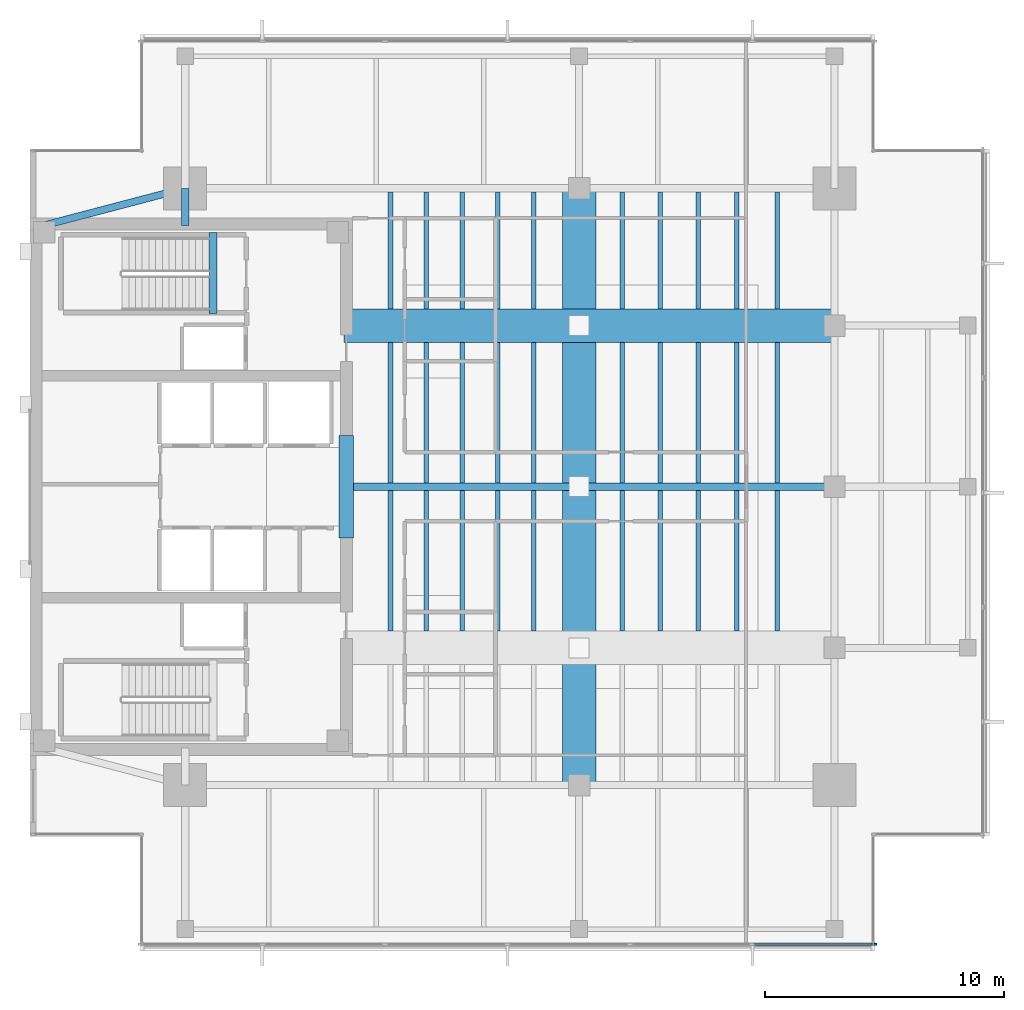
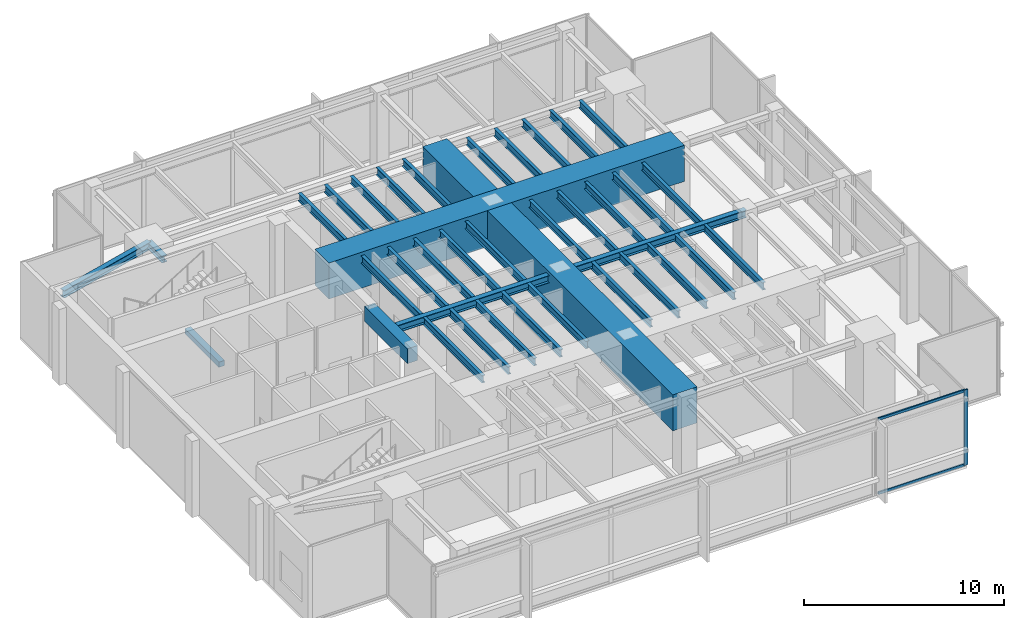
# One storey, part 3 of 14: 37 beams, 3 members, 1 element without a shape of its own.
"""IFC4 building model written with IfcOpenShell, lengths in metres."""

from ifc_helpers import new_model, si_unit, direction, frame, origin, origin_2d, place, context, subcontext, project, spatial, rectangle, i_section, extrude, material, layer, layer_set, material_profile, profile_set, type_object, element, aggregate, save


model = new_model("IFC4")

# Units and contexts
model_context = context("Model", 3, precision=1e-05, world=origin(), true_north=direction((0.0, 1.0)))
body_context = subcontext(model_context, "Body", "Model", "MODEL_VIEW")
ifc_project = project(units=[si_unit("LENGTHUNIT", "METRE"), si_unit("AREAUNIT", "SQUARE_METRE"), si_unit("VOLUMEUNIT", "CUBIC_METRE"), si_unit("PLANEANGLEUNIT", "RADIAN"), si_unit("MASSUNIT", "GRAM", prefix="KILO")], contexts=[model_context])

# Site, building, storey
site_placement = place(None, origin())
site = spatial("IfcSite", under=ifc_project, at=site_placement, CompositionType="ELEMENT")
building_placement = place(site_placement, origin())
building = spatial("IfcBuilding", under=site, at=building_placement, Name="Kinhvarn Gate Tower", CompositionType="ELEMENT")
storey_placement = place(building_placement, frame((0.0, 0.0, 291.85009765625)))
storey = spatial("IfcBuildingStorey", under=building, at=storey_placement, Name="L78", CompositionType="ELEMENT", Elevation=291.85009765625)

# Beams
ifc_material_1 = material(Name="Concrete C60/75", Category="concrete")
ifc_material_profile_1 = material_profile(ifc_material_1, rectangle(XDim=0.60009765625, YDim=0.89990234375, at=origin_2d()), Name="RC 600x900")
ifc_profile_set_1 = profile_set([ifc_material_profile_1], Name="Concrete C60/75")
beam_type_1 = type_object("IfcBeamType", Name="BM-CB-900", PredefinedType="LINTEL", material=ifc_profile_set_1)
beam_1_placement = place(storey_placement, frame((17.75, 23.10009765625, 4.14990234375), z_axis=(0.0, 1.0, 0.0), x_axis=(-1.0, 0.0, 0.0)))
element("IfcBeam", 1, at=beam_1_placement, inside=storey, type_object=beam_type_1, Name="Core East Portal Coupling Beam L78", PredefinedType="LINTEL", context=body_context, shape_type="SweptSolid", body=[
    extrude(rectangle(XDim=0.60009765625, YDim=0.89990234375, at=origin_2d()), origin(), (0.0, 0.0, 1.0), 4.2998046875),
])
ifc_material_2 = material(Name="Concrete C50/60", Category="concrete")
ifc_material_profile_2 = material_profile(ifc_material_2, rectangle(XDim=0.340087890625, YDim=0.320068359375, at=origin_2d()), Name="RC 340x320")
ifc_profile_set_2 = profile_set([ifc_material_profile_2], Name="Concrete C50/60")
beam_type_2 = type_object("IfcBeamType", Name="BM-LND-500", PredefinedType="BEAM", material=ifc_profile_set_2)
beam_2_placement = place(storey_placement, frame((12.1650390625, 32.5, -0.16015625), z_axis=(0.0, 1.0, 0.0), x_axis=(-1.0, 0.0, 0.0)))
element("IfcBeam", 2, at=beam_2_placement, inside=storey, type_object=beam_type_2, Name="Stair ST2 Landing Nosing Beam (L78)", PredefinedType="BEAM", context=body_context, shape_type="SweptSolid", body=[
    extrude(rectangle(XDim=0.340087890625, YDim=0.320068359375, at=origin_2d()), origin(), (0.0, 0.0, 1.0), 3.39990234375),
])
ifc_material_profile_3 = material_profile(ifc_material_1, rectangle(XDim=1.39990234375, YDim=2.199951171875, at=origin_2d()), Name="RC 1400x2200")
ifc_profile_set_3 = profile_set([ifc_material_profile_3], Name="Concrete C60/75")
beam_type_3 = type_object("IfcBeamType", Name="BM-TG-2200", PredefinedType="BEAM", material=ifc_profile_set_3)
beam_3_placement = place(storey_placement, frame((27.5, 12.75, 3.699951171875), z_axis=(0.0, 1.0, 0.0), x_axis=(-1.0, 0.0, 0.0)))
element("IfcBeam", 3, at=beam_3_placement, inside=storey, type_object=beam_type_3, Name="Setback Transfer Girder TG-02-L79-CRANC-2", PredefinedType="BEAM", context=body_context, shape_type="SweptSolid", body=[
    extrude(rectangle(XDim=1.39990234375, YDim=2.199951171875, at=origin_2d()), origin(), (0.0, 0.0, 1.0), 25.0),
])
beam_4_placement = place(storey_placement, frame((17.64990234375, 32.0, 3.699951171875), z_axis=(1.0, 0.0, 0.0), x_axis=(0.0, 1.0, 0.0)))
element("IfcBeam", 4, at=beam_4_placement, inside=storey, type_object=beam_type_3, Name="Setback Transfer Girder TG-02-L79-CRANC-3", PredefinedType="BEAM", context=body_context, shape_type="SweptSolid", body=[
    extrude(rectangle(XDim=1.39990234375, YDim=2.199951171875, at=origin_2d()), origin(), (0.0, 0.0, 1.0), 20.550048828125),
])

# Curtain wall, members
ifc_material_3 = material(Name="Anodised aluminium AW-6063", Category="aluminium")
ifc_layer = layer(ifc_material_3, 0.219970703125)
ifc_layer_set = layer_set([ifc_layer], Name="Anodised aluminium AW-6063")
curtain_wall_type = type_object("IfcCurtainWallType", Name="CW-SYS-5", PredefinedType="NOTDEFINED", material=ifc_layer_set)
curtain_wall_placement = place(storey_placement, origin())
curtain_wall = element("IfcCurtainWall", 5, at=curtain_wall_placement, inside=storey, type_object=curtain_wall_type, Name="Curtain Wall CW5 (L78)", PredefinedType="NOTDEFINED")
ifc_material_profile_4 = material_profile(ifc_material_3, rectangle(XDim=0.080078125, YDim=0.219970703125, at=origin_2d()), Name="ALU 80x220")
ifc_profile_set_4 = profile_set([ifc_material_profile_4], Name="Anodised aluminium AW-6063")
member_type_1 = type_object("IfcMemberType", Name="CW-MUL-220", PredefinedType="MULLION", material=ifc_profile_set_4)
member_1_placement = place(storey_placement, frame((39.860107421875, 6.090087890625, 0.0), z_axis=(0.0, 0.0, 1.0), x_axis=(0.0, 1.0, 0.0)))
member_1 = element("IfcMember", 6, at=member_1_placement, type_object=member_type_1, Name="CW5 mullion 7", PredefinedType="MULLION", context=body_context, shape_type="SweptSolid", body=[
    extrude(rectangle(XDim=0.080078125, YDim=0.219970703125, at=origin_2d()), origin(), (0.0, 0.0, 1.0), 4.599853515625),
])
ifc_material_profile_5 = material_profile(ifc_material_3, rectangle(XDim=0.080078125, YDim=0.159912109375, at=origin_2d()), Name="ALU 80x160")
ifc_profile_set_5 = profile_set([ifc_material_profile_5], Name="Anodised aluminium AW-6063")
member_type_2 = type_object("IfcMemberType", Name="CW-TRN-160", PredefinedType="USERDEFINED", material=ifc_profile_set_5)
member_2_placement = place(storey_placement, frame((34.806640625, 6.090087890625, 0.039794921875), z_axis=(1.0, 0.0, 0.0), x_axis=(0.0, 1.0, 0.0)))
member_2 = element("IfcMember", 7, at=member_2_placement, type_object=member_type_2, Name="CW5 transom 6.1", ObjectType="TRANSOM", PredefinedType="USERDEFINED", context=body_context, shape_type="SweptSolid", body=[
    extrude(rectangle(XDim=0.080078125, YDim=0.159912109375, at=origin_2d()), origin(), (0.0, 0.0, 1.0), 5.013427734375),
])
member_3_placement = place(storey_placement, frame((34.806640625, 6.090087890625, 4.559814453125), z_axis=(1.0, 0.0, 0.0), x_axis=(0.0, 1.0, 0.0)))
member_3 = element("IfcMember", 8, at=member_3_placement, type_object=member_type_2, Name="CW5 transom 6.2", ObjectType="TRANSOM", PredefinedType="USERDEFINED", context=body_context, shape_type="SweptSolid", body=[
    extrude(rectangle(XDim=0.080078125, YDim=0.159912109375, at=origin_2d()), origin(), (0.0, 0.0, 1.0), 5.013427734375),
])
aggregate(curtain_wall, [member_1, member_2, member_3])

# Beams
ifc_material_4 = material(Name="Steel S355", Category="steel")
ifc_material_profile_6 = material_profile(ifc_material_4, i_section(OverallWidth=0.300048828125, OverallDepth=0.39990234375, WebThickness=0.013427734375, FlangeThickness=0.02392578125, at=origin_2d()), Name="HEB 400")
ifc_profile_set_6 = profile_set([ifc_material_profile_6], Name="Steel S355")
beam_type_4 = type_object("IfcBeamType", Name="STL-HEB400", PredefinedType="BEAM", material=ifc_profile_set_6)
beam_5_placement = place(storey_placement, frame((11.0, 36.199951171875, 4.39990234375), z_axis=(0.0, 1.0, 0.0), x_axis=(-1.0, 0.0, 0.0)))
element("IfcBeam", 9, at=beam_5_placement, inside=storey, type_object=beam_type_4, Name="Floor Beam PG-12 (L78 MCW-CN)", PredefinedType="BEAM", context=body_context, shape_type="SweptSolid", body=[
    extrude(i_section(OverallWidth=0.300048828125, OverallDepth=0.39990234375, WebThickness=0.013427734375, FlangeThickness=0.02392578125, at=origin_2d()), origin(), (0.0, 0.0, 1.0), 1.550048828125),
])
ifc_material_profile_7 = material_profile(ifc_material_4, i_section(OverallWidth=0.300048828125, OverallDepth=0.449951171875, WebThickness=0.013916015625, FlangeThickness=0.02587890625, at=origin_2d()), Name="HEB 450")
ifc_profile_set_7 = profile_set([ifc_material_profile_7], Name="Steel S355")
beam_type_5 = type_object("IfcBeamType", Name="STL-HEB450", PredefinedType="BEAM", material=ifc_profile_set_7)
beam_6_placement = place(storey_placement, frame((5.10009765625, 36.199951171875, 4.375), z_axis=(0.967177623957, 0.254101246979, 0.0), x_axis=(-0.254101246979, 0.967177623957, 0.0)))
element("IfcBeam", 10, at=beam_6_placement, inside=storey, type_object=beam_type_5, Name="Floor Beam PG-13 (L78 MG-NW-DIAG)", PredefinedType="BEAM", context=body_context, shape_type="SweptSolid", body=[
    extrude(i_section(OverallWidth=0.300048828125, OverallDepth=0.449951171875, WebThickness=0.013916015625, FlangeThickness=0.02587890625, at=origin_2d()), origin(), (0.0, 0.0, 1.0), 6.10009765625),
])
beam_7_placement = place(storey_placement, frame((18.050048828125, 25.25, 4.375), z_axis=(1.0, 0.0, 0.0), x_axis=(0.0, 1.0, 0.0)))
element("IfcBeam", 11, at=beam_7_placement, inside=storey, type_object=beam_type_5, Name="Floor Beam PG-13 (L78 EW1-Y25)", PredefinedType="BEAM", context=body_context, shape_type="SweptSolid", body=[
    extrude(i_section(OverallWidth=0.300048828125, OverallDepth=0.449951171875, WebThickness=0.013916015625, FlangeThickness=0.02587890625, at=origin_2d()), origin(), (0.0, 0.0, 1.0), 20.14990234375),
])
ifc_material_profile_8 = material_profile(ifc_material_4, i_section(OverallWidth=0.18994140625, OverallDepth=0.449951171875, WebThickness=0.009521484375, FlangeThickness=0.0146484375, at=origin_2d()), Name="IPE 450")
ifc_profile_set_8 = profile_set([ifc_material_profile_8], Name="Steel S355")
beam_type_6 = type_object("IfcBeamType", Name="STL-IPE450", PredefinedType="JOIST", material=ifc_profile_set_8)
for number, where, z_axis, x_axis, name in (
    (12, (19.60009765625, 19.199951171875, 4.375), (0.0, 1.0, 0.0), (-1.0, 0.0, 0.0), "Floor Joist SB-06 (L78 JC-X196-1)"),
    (13, (19.60009765625, 25.39990234375, 4.375), (0.0, 1.0, 0.0), (-1.0, 0.0, 0.0), "Floor Joist SB-06 (L78 JC-X196-2)"),
):
    element("IfcBeam", number, at=place(storey_placement, frame(where, z_axis=z_axis, x_axis=x_axis)), inside=storey, type_object=beam_type_6, Name=name, PredefinedType="JOIST", context=body_context, shape_type="SweptSolid", body=[
        extrude(i_section(OverallWidth=0.18994140625, OverallDepth=0.449951171875, WebThickness=0.009521484375, FlangeThickness=0.0146484375, at=origin_2d()), origin(), (0.0, 0.0, 1.0), 5.900146484375),
    ])
beam_8_placement = place(storey_placement, frame((19.60009765625, 32.699951171875, 4.375), z_axis=(0.0, 1.0, 0.0), x_axis=(-1.0, 0.0, 0.0)))
element("IfcBeam", 14, at=beam_8_placement, inside=storey, type_object=beam_type_6, Name="Floor Joist SB-06 (L78 JC-X196-3)", PredefinedType="JOIST", context=body_context, shape_type="SweptSolid", body=[
    extrude(i_section(OverallWidth=0.18994140625, OverallDepth=0.449951171875, WebThickness=0.009521484375, FlangeThickness=0.0146484375, at=origin_2d()), origin(), (0.0, 0.0, 1.0), 4.900146484375),
])
for number, where, z_axis, x_axis, name in (
    (15, (21.10009765625, 19.199951171875, 4.375), (0.0, 1.0, 0.0), (-1.0, 0.0, 0.0), "Floor Joist SB-06 (L78 JC-X211-1)"),
    (16, (21.10009765625, 25.39990234375, 4.375), (0.0, 1.0, 0.0), (-1.0, 0.0, 0.0), "Floor Joist SB-06 (L78 JC-X211-2)"),
):
    element("IfcBeam", number, at=place(storey_placement, frame(where, z_axis=z_axis, x_axis=x_axis)), inside=storey, type_object=beam_type_6, Name=name, PredefinedType="JOIST", context=body_context, shape_type="SweptSolid", body=[
        extrude(i_section(OverallWidth=0.18994140625, OverallDepth=0.449951171875, WebThickness=0.009521484375, FlangeThickness=0.0146484375, at=origin_2d()), origin(), (0.0, 0.0, 1.0), 5.900146484375),
    ])
beam_9_placement = place(storey_placement, frame((21.10009765625, 32.699951171875, 4.375), z_axis=(0.0, 1.0, 0.0), x_axis=(-1.0, 0.0, 0.0)))
element("IfcBeam", 17, at=beam_9_placement, inside=storey, type_object=beam_type_6, Name="Floor Joist SB-06 (L78 JC-X211-3)", PredefinedType="JOIST", context=body_context, shape_type="SweptSolid", body=[
    extrude(i_section(OverallWidth=0.18994140625, OverallDepth=0.449951171875, WebThickness=0.009521484375, FlangeThickness=0.0146484375, at=origin_2d()), origin(), (0.0, 0.0, 1.0), 4.900146484375),
])
for number, where, z_axis, x_axis, name in (
    (18, (22.60009765625, 19.199951171875, 4.375), (0.0, 1.0, 0.0), (-1.0, 0.0, 0.0), "Floor Joist SB-06 (L78 JC-X226-1)"),
    (19, (22.60009765625, 25.39990234375, 4.375), (0.0, 1.0, 0.0), (-1.0, 0.0, 0.0), "Floor Joist SB-06 (L78 JC-X226-2)"),
):
    element("IfcBeam", number, at=place(storey_placement, frame(where, z_axis=z_axis, x_axis=x_axis)), inside=storey, type_object=beam_type_6, Name=name, PredefinedType="JOIST", context=body_context, shape_type="SweptSolid", body=[
        extrude(i_section(OverallWidth=0.18994140625, OverallDepth=0.449951171875, WebThickness=0.009521484375, FlangeThickness=0.0146484375, at=origin_2d()), origin(), (0.0, 0.0, 1.0), 5.900146484375),
    ])
beam_10_placement = place(storey_placement, frame((22.60009765625, 32.699951171875, 4.375), z_axis=(0.0, 1.0, 0.0), x_axis=(-1.0, 0.0, 0.0)))
element("IfcBeam", 20, at=beam_10_placement, inside=storey, type_object=beam_type_6, Name="Floor Joist SB-06 (L78 JC-X226-3)", PredefinedType="JOIST", context=body_context, shape_type="SweptSolid", body=[
    extrude(i_section(OverallWidth=0.18994140625, OverallDepth=0.449951171875, WebThickness=0.009521484375, FlangeThickness=0.0146484375, at=origin_2d()), origin(), (0.0, 0.0, 1.0), 4.900146484375),
])
for number, where, z_axis, x_axis, name in (
    (21, (24.10009765625, 19.199951171875, 4.375), (0.0, 1.0, 0.0), (-1.0, 0.0, 0.0), "Floor Joist SB-06 (L78 JC-X241-1)"),
    (22, (24.10009765625, 25.39990234375, 4.375), (0.0, 1.0, 0.0), (-1.0, 0.0, 0.0), "Floor Joist SB-06 (L78 JC-X241-2)"),
):
    element("IfcBeam", number, at=place(storey_placement, frame(where, z_axis=z_axis, x_axis=x_axis)), inside=storey, type_object=beam_type_6, Name=name, PredefinedType="JOIST", context=body_context, shape_type="SweptSolid", body=[
        extrude(i_section(OverallWidth=0.18994140625, OverallDepth=0.449951171875, WebThickness=0.009521484375, FlangeThickness=0.0146484375, at=origin_2d()), origin(), (0.0, 0.0, 1.0), 5.900146484375),
    ])
beam_11_placement = place(storey_placement, frame((24.10009765625, 32.699951171875, 4.375), z_axis=(0.0, 1.0, 0.0), x_axis=(-1.0, 0.0, 0.0)))
element("IfcBeam", 23, at=beam_11_placement, inside=storey, type_object=beam_type_6, Name="Floor Joist SB-06 (L78 JC-X241-3)", PredefinedType="JOIST", context=body_context, shape_type="SweptSolid", body=[
    extrude(i_section(OverallWidth=0.18994140625, OverallDepth=0.449951171875, WebThickness=0.009521484375, FlangeThickness=0.0146484375, at=origin_2d()), origin(), (0.0, 0.0, 1.0), 4.900146484375),
])
for number, where, z_axis, x_axis, name in (
    (24, (25.60009765625, 19.199951171875, 4.375), (0.0, 1.0, 0.0), (-1.0, 0.0, 0.0), "Floor Joist SB-06 (L78 JC-X256-1)"),
    (25, (25.60009765625, 25.39990234375, 4.375), (0.0, 1.0, 0.0), (-1.0, 0.0, 0.0), "Floor Joist SB-06 (L78 JC-X256-2)"),
):
    element("IfcBeam", number, at=place(storey_placement, frame(where, z_axis=z_axis, x_axis=x_axis)), inside=storey, type_object=beam_type_6, Name=name, PredefinedType="JOIST", context=body_context, shape_type="SweptSolid", body=[
        extrude(i_section(OverallWidth=0.18994140625, OverallDepth=0.449951171875, WebThickness=0.009521484375, FlangeThickness=0.0146484375, at=origin_2d()), origin(), (0.0, 0.0, 1.0), 5.900146484375),
    ])
beam_12_placement = place(storey_placement, frame((25.60009765625, 32.699951171875, 4.375), z_axis=(0.0, 1.0, 0.0), x_axis=(-1.0, 0.0, 0.0)))
element("IfcBeam", 26, at=beam_12_placement, inside=storey, type_object=beam_type_6, Name="Floor Joist SB-06 (L78 JC-X256-3)", PredefinedType="JOIST", context=body_context, shape_type="SweptSolid", body=[
    extrude(i_section(OverallWidth=0.18994140625, OverallDepth=0.449951171875, WebThickness=0.009521484375, FlangeThickness=0.0146484375, at=origin_2d()), origin(), (0.0, 0.0, 1.0), 4.900146484375),
])
for number, where, z_axis, x_axis, name in (
    (27, (29.300048828125, 19.199951171875, 4.375), (0.0, 1.0, 0.0), (-1.0, 0.0, 0.0), "Floor Joist SB-06 (L78 JC-X293-1)"),
    (28, (29.300048828125, 25.39990234375, 4.375), (0.0, 1.0, 0.0), (-1.0, 0.0, 0.0), "Floor Joist SB-06 (L78 JC-X293-2)"),
):
    element("IfcBeam", number, at=place(storey_placement, frame(where, z_axis=z_axis, x_axis=x_axis)), inside=storey, type_object=beam_type_6, Name=name, PredefinedType="JOIST", context=body_context, shape_type="SweptSolid", body=[
        extrude(i_section(OverallWidth=0.18994140625, OverallDepth=0.449951171875, WebThickness=0.009521484375, FlangeThickness=0.0146484375, at=origin_2d()), origin(), (0.0, 0.0, 1.0), 5.900146484375),
    ])
beam_13_placement = place(storey_placement, frame((29.300048828125, 32.699951171875, 4.375), z_axis=(0.0, 1.0, 0.0), x_axis=(-1.0, 0.0, 0.0)))
element("IfcBeam", 29, at=beam_13_placement, inside=storey, type_object=beam_type_6, Name="Floor Joist SB-06 (L78 JC-X293-3)", PredefinedType="JOIST", context=body_context, shape_type="SweptSolid", body=[
    extrude(i_section(OverallWidth=0.18994140625, OverallDepth=0.449951171875, WebThickness=0.009521484375, FlangeThickness=0.0146484375, at=origin_2d()), origin(), (0.0, 0.0, 1.0), 4.900146484375),
])
for number, where, z_axis, x_axis, name in (
    (30, (30.89990234375, 19.199951171875, 4.375), (0.0, 1.0, 0.0), (-1.0, 0.0, 0.0), "Floor Joist SB-06 (L78 JC-X309-1)"),
    (31, (30.89990234375, 25.39990234375, 4.375), (0.0, 1.0, 0.0), (-1.0, 0.0, 0.0), "Floor Joist SB-06 (L78 JC-X309-2)"),
):
    element("IfcBeam", number, at=place(storey_placement, frame(where, z_axis=z_axis, x_axis=x_axis)), inside=storey, type_object=beam_type_6, Name=name, PredefinedType="JOIST", context=body_context, shape_type="SweptSolid", body=[
        extrude(i_section(OverallWidth=0.18994140625, OverallDepth=0.449951171875, WebThickness=0.009521484375, FlangeThickness=0.0146484375, at=origin_2d()), origin(), (0.0, 0.0, 1.0), 5.900146484375),
    ])
beam_14_placement = place(storey_placement, frame((30.89990234375, 32.699951171875, 4.375), z_axis=(0.0, 1.0, 0.0), x_axis=(-1.0, 0.0, 0.0)))
element("IfcBeam", 32, at=beam_14_placement, inside=storey, type_object=beam_type_6, Name="Floor Joist SB-06 (L78 JC-X309-3)", PredefinedType="JOIST", context=body_context, shape_type="SweptSolid", body=[
    extrude(i_section(OverallWidth=0.18994140625, OverallDepth=0.449951171875, WebThickness=0.009521484375, FlangeThickness=0.0146484375, at=origin_2d()), origin(), (0.0, 0.0, 1.0), 4.900146484375),
])
for number, where, z_axis, x_axis, name in (
    (33, (32.5, 19.199951171875, 4.375), (0.0, 1.0, 0.0), (-1.0, 0.0, 0.0), "Floor Joist SB-06 (L78 JC-X325-1)"),
    (34, (32.5, 25.39990234375, 4.375), (0.0, 1.0, 0.0), (-1.0, 0.0, 0.0), "Floor Joist SB-06 (L78 JC-X325-2)"),
):
    element("IfcBeam", number, at=place(storey_placement, frame(where, z_axis=z_axis, x_axis=x_axis)), inside=storey, type_object=beam_type_6, Name=name, PredefinedType="JOIST", context=body_context, shape_type="SweptSolid", body=[
        extrude(i_section(OverallWidth=0.18994140625, OverallDepth=0.449951171875, WebThickness=0.009521484375, FlangeThickness=0.0146484375, at=origin_2d()), origin(), (0.0, 0.0, 1.0), 5.900146484375),
    ])
beam_15_placement = place(storey_placement, frame((32.5, 32.699951171875, 4.375), z_axis=(0.0, 1.0, 0.0), x_axis=(-1.0, 0.0, 0.0)))
element("IfcBeam", 35, at=beam_15_placement, inside=storey, type_object=beam_type_6, Name="Floor Joist SB-06 (L78 JC-X325-3)", PredefinedType="JOIST", context=body_context, shape_type="SweptSolid", body=[
    extrude(i_section(OverallWidth=0.18994140625, OverallDepth=0.449951171875, WebThickness=0.009521484375, FlangeThickness=0.0146484375, at=origin_2d()), origin(), (0.0, 0.0, 1.0), 4.900146484375),
])
for number, where, z_axis, x_axis, name in (
    (36, (34.10009765625, 19.199951171875, 4.375), (0.0, 1.0, 0.0), (-1.0, 0.0, 0.0), "Floor Joist SB-06 (L78 JC-X341-1)"),
    (37, (34.10009765625, 25.39990234375, 4.375), (0.0, 1.0, 0.0), (-1.0, 0.0, 0.0), "Floor Joist SB-06 (L78 JC-X341-2)"),
):
    element("IfcBeam", number, at=place(storey_placement, frame(where, z_axis=z_axis, x_axis=x_axis)), inside=storey, type_object=beam_type_6, Name=name, PredefinedType="JOIST", context=body_context, shape_type="SweptSolid", body=[
        extrude(i_section(OverallWidth=0.18994140625, OverallDepth=0.449951171875, WebThickness=0.009521484375, FlangeThickness=0.0146484375, at=origin_2d()), origin(), (0.0, 0.0, 1.0), 5.900146484375),
    ])
beam_16_placement = place(storey_placement, frame((34.10009765625, 32.699951171875, 4.375), z_axis=(0.0, 1.0, 0.0), x_axis=(-1.0, 0.0, 0.0)))
element("IfcBeam", 38, at=beam_16_placement, inside=storey, type_object=beam_type_6, Name="Floor Joist SB-06 (L78 JC-X341-3)", PredefinedType="JOIST", context=body_context, shape_type="SweptSolid", body=[
    extrude(i_section(OverallWidth=0.18994140625, OverallDepth=0.449951171875, WebThickness=0.009521484375, FlangeThickness=0.0146484375, at=origin_2d()), origin(), (0.0, 0.0, 1.0), 4.900146484375),
])
for number, where, z_axis, x_axis, name in (
    (39, (35.800048828125, 19.199951171875, 4.375), (0.0, 1.0, 0.0), (-1.0, 0.0, 0.0), "Floor Joist SB-06 (L78 JC-X358-1)"),
    (40, (35.800048828125, 25.39990234375, 4.375), (0.0, 1.0, 0.0), (-1.0, 0.0, 0.0), "Floor Joist SB-06 (L78 JC-X358-2)"),
):
    element("IfcBeam", number, at=place(storey_placement, frame(where, z_axis=z_axis, x_axis=x_axis)), inside=storey, type_object=beam_type_6, Name=name, PredefinedType="JOIST", context=body_context, shape_type="SweptSolid", body=[
        extrude(i_section(OverallWidth=0.18994140625, OverallDepth=0.449951171875, WebThickness=0.009521484375, FlangeThickness=0.0146484375, at=origin_2d()), origin(), (0.0, 0.0, 1.0), 5.900146484375),
    ])
beam_17_placement = place(storey_placement, frame((35.800048828125, 32.699951171875, 4.375), z_axis=(0.0, 1.0, 0.0), x_axis=(-1.0, 0.0, 0.0)))
element("IfcBeam", 41, at=beam_17_placement, inside=storey, type_object=beam_type_6, Name="Floor Joist SB-06 (L78 JC-X358-3)", PredefinedType="JOIST", context=body_context, shape_type="SweptSolid", body=[
    extrude(i_section(OverallWidth=0.18994140625, OverallDepth=0.449951171875, WebThickness=0.009521484375, FlangeThickness=0.0146484375, at=origin_2d()), origin(), (0.0, 0.0, 1.0), 4.900146484375),
])

save(model, "model.ifc")
